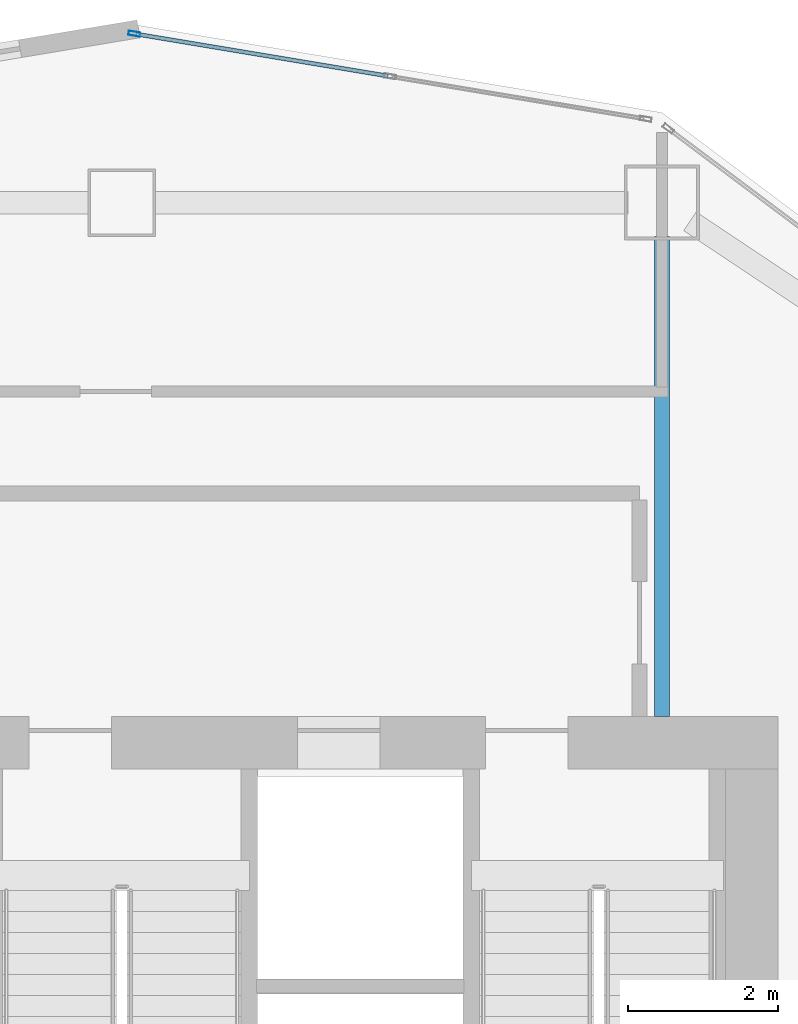
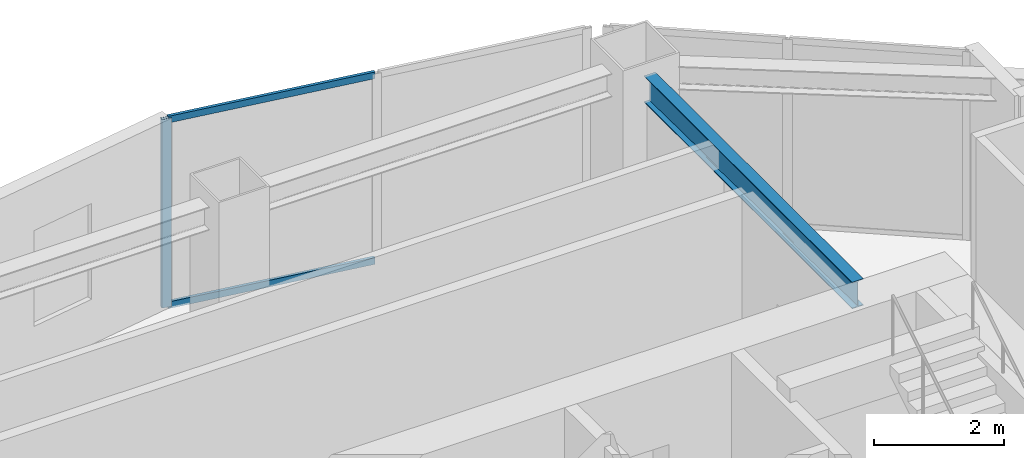
# One storey, part 2 of 14: 3 members, 1 beam, 1 element without a shape of its own.
"""IFC4 building model written with IfcOpenShell, lengths in metres."""

import ifcopenshell
import ifcopenshell.guid

model = None  # the IFC model being written
_history = None  # IfcOwnerHistory: only IFC2X3 demands one
_inside = {}  # id of a spatial element -> (the spatial element, [elements in it])
_under = {}  # id of a project, library or spatial element -> (it, [spatial elements below it])
_declared = {}  # id of a project -> (the project, [libraries it declares])
_typed = {}  # id of a type object -> (the type object, [elements of that type])
_made_of = {}  # id of a material, layer set ... -> (it, [elements and type objects made of it])


def new_model(schema):
    """Start an empty IFC model of exactly this schema.

    Asked for "IFC4X3", IfcOpenShell would pick the latest addendum, in which some entities
    have other attributes; the version numbers below select the first issue.
    IFC2X3 requires an IfcOwnerHistory on every rooted entity: one is made here for all.
    """
    global model, _history
    if schema == "IFC4X3":
        model = ifcopenshell.file(schema_version=(4, 3, 0, 0))
    else:
        model = ifcopenshell.file(schema=schema)
    _inside.clear()
    _under.clear()
    _declared.clear()
    _typed.clear()
    _made_of.clear()
    _history = None
    if model.schema == "IFC2X3":
        org = make("IfcOrganization", Name="unknown")
        user = make(
            "IfcPersonAndOrganization",
            ThePerson=make("IfcPerson", FamilyName="unknown"),
            TheOrganization=org,
        )
        app = make(
            "IfcApplication",
            ApplicationDeveloper=org,
            Version="unknown",
            ApplicationFullName="unknown",
            ApplicationIdentifier="unknown",
        )
        _history = make(
            "IfcOwnerHistory",
            OwningUser=user,
            OwningApplication=app,
            ChangeAction="ADDED",
            CreationDate=0,
        )
    return model


def make(cls, **values):
    """One entity of the class cls with the attributes given. An attribute that is None is left unset."""
    return model.create_entity(
        cls, **{name: value for name, value in values.items() if value is not None}
    )


def rooted(cls, **values):
    """An entity with a GlobalId (a new one), such as an element, a storey or a relation."""
    return make(cls, GlobalId=ifcopenshell.guid.new(), OwnerHistory=_history, **values)


def si_unit(unit_type, name, prefix=None):
    """IfcSIUnit, for example si_unit("LENGTHUNIT", "METRE", prefix="MILLI")."""
    return make("IfcSIUnit", UnitType=unit_type, Prefix=prefix, Name=name)


def assignment(units):
    """IfcUnitAssignment: the units of a project."""
    return None if units is None else make("IfcUnitAssignment", Units=units)


def point(xyz):
    """IfcCartesianPoint."""
    return None if xyz is None else make("IfcCartesianPoint", Coordinates=xyz)


def direction(xyz):
    """IfcDirection."""
    return None if xyz is None else make("IfcDirection", DirectionRatios=xyz)


def frame(location, z_axis=None, x_axis=None):
    """IfcAxis2Placement3D, a coordinate frame: its origin and axes. An axis left out is left unset."""
    return make(
        "IfcAxis2Placement3D",
        Location=point(location),
        Axis=direction(z_axis),
        RefDirection=direction(x_axis),
    )


def frame_2d(location, x_axis=None):
    """IfcAxis2Placement2D, a coordinate frame in the plane: its origin and x axis."""
    return make(
        "IfcAxis2Placement2D", Location=point(location), RefDirection=direction(x_axis)
    )


def origin():
    """The frame at (0, 0, 0) with its axes left unset."""
    return frame((0.0, 0.0, 0.0))


def origin_2d():
    """The frame at (0, 0) in the plane with its x axis left unset."""
    return frame_2d((0.0, 0.0))


def place(relative_to, where):
    """IfcLocalPlacement: puts the frame where relative to a parent placement (None: the world)."""
    return make(
        "IfcLocalPlacement", PlacementRelTo=relative_to, RelativePlacement=where
    )


def context(
    kind, dimensions, precision=None, world=None, true_north=None, identifier=None
):
    """IfcGeometricRepresentationContext, for example the 3D "Model" context."""
    return make(
        "IfcGeometricRepresentationContext",
        ContextIdentifier=identifier,
        ContextType=kind,
        CoordinateSpaceDimension=dimensions,
        Precision=precision,
        WorldCoordinateSystem=world,
        TrueNorth=true_north,
    )


def subcontext(parent, identifier, kind, view, scale=None):
    """IfcGeometricRepresentationSubContext, for example "Body" below "Model"."""
    return make(
        "IfcGeometricRepresentationSubContext",
        ContextIdentifier=identifier,
        ContextType=kind,
        ParentContext=parent,
        TargetScale=scale,
        TargetView=view,
    )


def project(units=None, contexts=None):
    """IfcProject with its units and contexts."""
    return rooted(
        "IfcProject",
        Name="project",
        RepresentationContexts=contexts,
        UnitsInContext=assignment(units),
    )


def spatial(cls, under=None, at=None, **own):
    """A site, building, storey or space (cls), placed at a placement, below another one or the project."""
    s = rooted(cls, ObjectPlacement=at, **own)
    if under is not None:
        _under.setdefault(under.id(), (under, []))[1].append(s)
    return s


def profile(cls, at=None, kind="AREA", **sizes):
    """A parametric profile (cls). Its sizes go by their IFC names, for example OverallWidth=200.0."""
    return make(cls, ProfileType=kind, Position=at, **sizes)


def hollow_rectangle(**sizes):
    """IfcRectangleHollowProfileDef."""
    return profile("IfcRectangleHollowProfileDef", **sizes)


def i_section(**sizes):
    """IfcIShapeProfileDef."""
    return profile("IfcIShapeProfileDef", **sizes)


def extrude(swept, where, along, depth):
    """IfcExtrudedAreaSolid: the profile swept, set in the frame where, extruded along a direction by depth."""
    return make(
        "IfcExtrudedAreaSolid",
        SweptArea=swept,
        Position=where,
        ExtrudedDirection=direction(along),
        Depth=depth,
    )


def shape(context_of_items, identifier, shape_type, items):
    """IfcShapeRepresentation: the items that make up one representation, for example the "Body"."""
    return make(
        "IfcShapeRepresentation",
        ContextOfItems=context_of_items,
        RepresentationIdentifier=identifier,
        RepresentationType=shape_type,
        Items=items,
    )


def material(Name=None, Category=None):
    """IfcMaterial."""
    return make("IfcMaterial", Name=Name, Category=Category)


def layer(
    of_material, thickness, ventilated=None, Name=None, Category=None, Priority=None
):
    """IfcMaterialLayer: one layer of a wall or slab, of a material (None: an air gap)."""
    return make(
        "IfcMaterialLayer",
        Material=of_material,
        LayerThickness=thickness,
        IsVentilated=ventilated,
        Name=Name,
        Category=Category,
        Priority=Priority,
    )


def layer_set(layers, Name=None):
    """IfcMaterialLayerSet."""
    return make("IfcMaterialLayerSet", MaterialLayers=layers, LayerSetName=Name)


def material_profile(
    of_material, cross_section, Name=None, Category=None, Priority=None
):
    """IfcMaterialProfile: a cross section and its material."""
    return make(
        "IfcMaterialProfile",
        Name=Name,
        Material=of_material,
        Profile=cross_section,
        Priority=Priority,
        Category=Category,
    )


def profile_set(profiles, Name=None, composite=None):
    """IfcMaterialProfileSet."""
    return make(
        "IfcMaterialProfileSet",
        Name=Name,
        MaterialProfiles=profiles,
        CompositeProfile=composite,
    )


def made_of(thing, what):
    """Note that an element or type object is made of a material, layer set ...; save() writes the relation."""
    if what is not None:
        _made_of.setdefault(what.id(), (what, []))[1].append(thing)
    return thing


def type_object(cls, material=None, **own):
    """A type object (cls), such as IfcWallType, which elements share."""
    return made_of(rooted(cls, **own), material)


def element(
    cls,
    number,
    at=None,
    inside=None,
    cuts=None,
    type_object=None,
    material=None,
    context=None,
    identifier="Body",
    shape_type=None,
    held_by="IfcProductDefinitionShape",
    body=None,
    shapes=None,
    **own,
):
    """One element of the class cls, such as IfcWall. Its Tag is "e" and its number.

    at: its placement. inside: the storey or other place that contains it. cuts: it is an
    opening in that element (IfcRelVoidsElement). A single representation is given by context,
    identifier, shape_type and body (its items); several are given by shapes. held_by: the class
    of the entity that holds the representations. save() writes the other relations.
    """
    e = rooted(cls, Tag="e%d" % number, ObjectPlacement=at, **own)
    if body is not None:
        shapes = [shape(context, identifier, shape_type, body)]
    if shapes is not None:
        e.Representation = make(held_by, Representations=shapes)
    if inside is not None:
        _inside.setdefault(inside.id(), (inside, []))[1].append(e)
    if cuts is not None:
        rooted(
            "IfcRelVoidsElement", RelatingBuildingElement=cuts, RelatedOpeningElement=e
        )
    if type_object is not None:
        _typed.setdefault(type_object.id(), (type_object, []))[1].append(e)
    return made_of(e, material)


def aggregate(whole, parts):
    """IfcRelAggregates: a whole, such as a stair, and the parts it consists of."""
    return rooted("IfcRelAggregates", RelatingObject=whole, RelatedObjects=parts)


def save(model, path):
    """Write the relations noted so far, then the file.

    IfcRelAggregates (storeys below a building ...), IfcRelContainedInSpatialStructure (elements
    in a storey), IfcRelDefinesByType, IfcRelAssociatesMaterial and IfcRelDeclares: one each for
    every whole, place, type object, material and project.
    """
    for whole, parts in _under.values():
        aggregate(whole, parts)
    for where, things in _inside.values():
        rooted(
            "IfcRelContainedInSpatialStructure",
            RelatedElements=things,
            RelatingStructure=where,
        )
    for kind, things in _typed.values():
        rooted("IfcRelDefinesByType", RelatedObjects=things, RelatingType=kind)
    for what, things in _made_of.values():
        rooted("IfcRelAssociatesMaterial", RelatedObjects=things, RelatingMaterial=what)
    for by, libraries in _declared.values():
        rooted("IfcRelDeclares", RelatingContext=by, RelatedDefinitions=libraries)
    model.write(path)


model = new_model("IFC4")

# Units and contexts
model_context = context("Model", 3, precision=1e-05, world=origin(), true_north=direction((0.0, 1.0)))
body_context = subcontext(model_context, "Body", "Model", "MODEL_VIEW")
ifc_project = project(units=[si_unit("LENGTHUNIT", "METRE"), si_unit("AREAUNIT", "SQUARE_METRE"), si_unit("VOLUMEUNIT", "CUBIC_METRE"), si_unit("PLANEANGLEUNIT", "RADIAN"), si_unit("MASSUNIT", "GRAM", prefix="KILO")], contexts=[model_context])

# Site, building, storey
site_placement = place(None, origin())
site = spatial("IfcSite", under=ifc_project, at=site_placement, CompositionType="ELEMENT")
building_placement = place(site_placement, origin())
building = spatial("IfcBuilding", under=site, at=building_placement, Name="Haolan Belvedere Tower", CompositionType="ELEMENT")
storey_placement = place(building_placement, frame((0.0, 0.0, 132.60009765625)))
storey = spatial("IfcBuildingStorey", under=building, at=storey_placement, Name="L33", CompositionType="ELEMENT", Elevation=132.60009765625)

# Beam
ifc_material_1 = material(Name="Steel Q355B", Category="steel")
ifc_material_profile_1 = material_profile(ifc_material_1, i_section(OverallWidth=0.199951171875, OverallDepth=0.5, WebThickness=0.010009765625, FlangeThickness=0.01611328125, FilletRadius=0.02001953125, at=origin_2d()), Name="Steel Q355B")
ifc_profile_set_1 = profile_set([ifc_material_profile_1], Name="Steel Q355B")
beam_type = type_object("IfcBeamType", Name="BM-HN500x200x10x16", PredefinedType="BEAM", material=ifc_profile_set_1)
beam_placement = place(storey_placement, frame((45.60009765625, 49.949951171875, 3.289794921875), z_axis=(0.0, -1.0, 0.0), x_axis=(1.0, 0.0, 0.0)))
element("IfcBeam", 1, at=beam_placement, inside=storey, type_object=beam_type, Name="L33 core tie beam from MC-T3-N2", PredefinedType="BEAM", context=body_context, shape_type="SweptSolid", body=[
    extrude(i_section(OverallWidth=0.199951171875, OverallDepth=0.5, WebThickness=0.010009765625, FlangeThickness=0.01611328125, FilletRadius=0.02001953125, at=origin_2d()), origin(), (0.0, 0.0, 1.0), 6.39990234375),
])

# Curtain wall, members
ifc_material_2 = material(Name="Anodised champagne-silver aluminium 6063-T6 and Low-E glass", Category="aluminium")
ifc_layer = layer(ifc_material_2, 0.155029296875, Name="Anodised champagne-silver aluminium 6063-T6 and Low-E glass")
ifc_layer_set = layer_set([ifc_layer], Name="Anodised champagne-silver aluminium 6063-T6 and Low-E glass")
curtain_wall_type = type_object("IfcCurtainWallType", Name="CW-SYS-03", PredefinedType="NOTDEFINED", material=ifc_layer_set)
curtain_wall_placement = place(storey_placement, origin())
curtain_wall = element("IfcCurtainWall", 2, at=curtain_wall_placement, inside=storey, type_object=curtain_wall_type, Name="L33 CW-SYS-03 ribbon curtain wall 27.1", PredefinedType="NOTDEFINED")
ifc_material_3 = material(Name="Anodised aluminium 6063-T6", Category="aluminium")
ifc_material_profile_2 = material_profile(ifc_material_3, hollow_rectangle(XDim=0.05810546875, YDim=0.155029296875, WallThickness=0.00390625, at=origin_2d()), Name="Anodised aluminium 6063-T6")
ifc_profile_set_2 = profile_set([ifc_material_profile_2], Name="Anodised aluminium 6063-T6")
member_type_1 = type_object("IfcMemberType", Name="CW-SYS-03-MUL", PredefinedType="MULLION", material=ifc_profile_set_2)
member_1_placement = place(storey_placement, frame((38.566650390625, 52.650634765625, 0.0), z_axis=(0.0, 0.0, 1.0), x_axis=(-0.16440364043, -0.9863931483, 0.0)))
member_1 = element("IfcMember", 3, at=member_1_placement, type_object=member_type_1, Name="CW-03 mullion 3", PredefinedType="MULLION", context=body_context, shape_type="SweptSolid", body=[
    extrude(hollow_rectangle(XDim=0.05810546875, YDim=0.155029296875, WallThickness=0.00390625, at=origin_2d()), origin(), (0.0, 0.0, 1.0), 3.539794921875),
])
ifc_material_profile_3 = material_profile(ifc_material_3, hollow_rectangle(XDim=0.053955078125, YDim=0.125, WallThickness=0.00390625, at=origin_2d()), Name="Anodised aluminium 6063-T6")
ifc_profile_set_3 = profile_set([ifc_material_profile_3], Name="Anodised aluminium 6063-T6")
member_type_2 = type_object("IfcMemberType", Name="CW-SYS-03-TRN", PredefinedType="USERDEFINED", material=ifc_profile_set_3)
member_2_placement = place(storey_placement, frame((41.947021484375, 52.087158203125, 0.02685546875), z_axis=(-0.986395865591, 0.16438733633, 0.0), x_axis=(-0.16438733633, -0.986395865591, 0.0)))
member_2 = element("IfcMember", 4, at=member_2_placement, type_object=member_type_2, Name="CW-03 transom 2.1", ObjectType="TRANSOM", PredefinedType="USERDEFINED", context=body_context, shape_type="SweptSolid", body=[
    extrude(hollow_rectangle(XDim=0.053955078125, YDim=0.125, WallThickness=0.00390625, at=origin_2d()), origin(), (0.0, 0.0, 1.0), 3.39794921875),
])
member_3_placement = place(storey_placement, frame((41.947021484375, 52.087158203125, 3.512939453125), z_axis=(-0.986395865591, 0.16438733633, 0.0), x_axis=(-0.16438733633, -0.986395865591, 0.0)))
member_3 = element("IfcMember", 5, at=member_3_placement, type_object=member_type_2, Name="CW-03 transom 2.2", ObjectType="TRANSOM", PredefinedType="USERDEFINED", context=body_context, shape_type="SweptSolid", body=[
    extrude(hollow_rectangle(XDim=0.053955078125, YDim=0.125, WallThickness=0.00390625, at=origin_2d()), origin(), (0.0, 0.0, 1.0), 3.39794921875),
])
aggregate(curtain_wall, [member_1, member_2, member_3])

save(model, "model.ifc")
